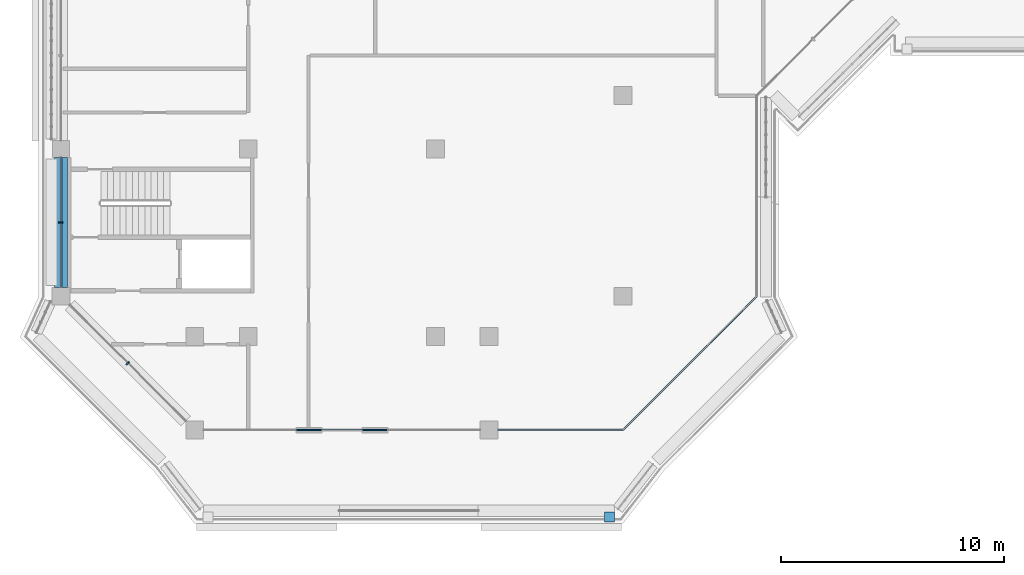
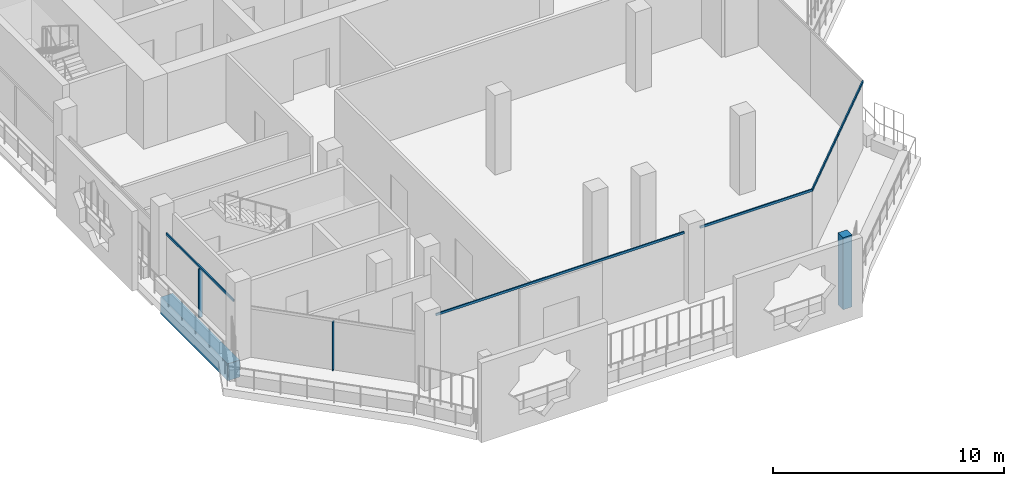
# One storey, part 2 of 23: 8 members, 1 beam, 5 elements without a shape of their own.
"""IFC4 building model written with IfcOpenShell, lengths in metres."""

from ifc_helpers import new_model, si_unit, direction, frame, origin, origin_2d, place, context, subcontext, project, spatial, rectangle, extrude, material, layer, layer_set, material_profile, profile_set, type_object, element, aggregate, save


model = new_model("IFC4")

# Units and contexts
model_context = context("Model", 3, precision=1e-05, world=origin(), true_north=direction((0.0, 1.0)))
body_context = subcontext(model_context, "Body", "Model", "MODEL_VIEW")
ifc_project = project(units=[si_unit("LENGTHUNIT", "METRE"), si_unit("AREAUNIT", "SQUARE_METRE"), si_unit("VOLUMEUNIT", "CUBIC_METRE"), si_unit("PLANEANGLEUNIT", "RADIAN"), si_unit("MASSUNIT", "GRAM", prefix="KILO")], contexts=[model_context])

# Site, building, storey
site_placement = place(None, origin())
site = spatial("IfcSite", under=ifc_project, at=site_placement, CompositionType="ELEMENT")
building_placement = place(site_placement, origin())
building = spatial("IfcBuilding", under=site, at=building_placement, Name="Kawkab Arch Medical Tower", CompositionType="ELEMENT")
storey_placement = place(building_placement, frame((0.0, 0.0, 281.800048828125)))
storey = spatial("IfcBuildingStorey", under=building, at=storey_placement, Name="L65", CompositionType="ELEMENT", Elevation=281.800048828125)

# Curtain wall, members
ifc_material_1 = material(Name="Bronze anodised aluminium curtain wall frame", Category="aluminium")
ifc_layer_1 = layer(ifc_material_1, 0.159912109375)
ifc_layer_set_1 = layer_set([ifc_layer_1], Name="Bronze anodised aluminium curtain wall frame")
curtain_wall_type_1 = type_object("IfcCurtainWallType", Name="CW1 ward curtain wall", PredefinedType="NOTDEFINED", material=ifc_layer_set_1)
placement = place(storey_placement, origin())
curtain_wall_1 = element("IfcCurtainWall", 1, at=placement, inside=storey, type_object=curtain_wall_type_1, Name="CW1 Ward curtain wall R12", PredefinedType="NOTDEFINED")
ifc_material_2 = material(Name="Bronze anodised aluminium curtain wall frame", Category="aluminium")
ifc_material_profile_1 = material_profile(ifc_material_2, rectangle(XDim=0.179931640625, YDim=0.06005859375, at=origin_2d()), Name="AL 60x180")
ifc_profile_set_1 = profile_set([ifc_material_profile_1], Name="Bronze anodised aluminium curtain wall frame")
member_type_1 = type_object("IfcMemberType", Name="CW1 mullion 60 x 180", PredefinedType="MULLION", material=ifc_profile_set_1)
member_1_placement = place(storey_placement, frame((0.0, -36.887451171875, 0.0), z_axis=(0.0, 0.0, 1.0), x_axis=(1.0, 0.0, 0.0)))
member_1 = element("IfcMember", 2, at=member_1_placement, type_object=member_type_1, Name="CW1 mullion 4.1", PredefinedType="MULLION", context=body_context, shape_type="SweptSolid", body=[
    extrude(rectangle(XDim=0.179931640625, YDim=0.06005859375, at=origin_2d()), origin(), (0.0, 0.0, 1.0), 2.579833984375),
])
ifc_material_3 = material(Name="Bronze anodised aluminium curtain wall frame", Category="aluminium")
ifc_material_profile_2 = material_profile(ifc_material_3, rectangle(XDim=0.06005859375, YDim=0.1201171875, at=origin_2d()), Name="AL 60x120")
ifc_profile_set_2 = profile_set([ifc_material_profile_2], Name="Bronze anodised aluminium curtain wall frame")
member_type_2 = type_object("IfcMemberType", Name="CW1 transom 120 x 60", PredefinedType="USERDEFINED", material=ifc_profile_set_2)
member_2_placement = place(storey_placement, frame((0.0, -33.97509765625, 2.639892578125), z_axis=(0.0, -1.0, 0.0), x_axis=(1.0, 0.0, 0.0)))
member_2 = element("IfcMember", 3, at=member_2_placement, type_object=member_type_2, Name="CW1 transom 4", ObjectType="TRANSOM", PredefinedType="USERDEFINED", context=body_context, shape_type="SweptSolid", body=[
    extrude(rectangle(XDim=0.06005859375, YDim=0.1201171875, at=origin_2d()), origin(), (0.0, 0.0, 1.0), 5.824951171875),
])
aggregate(curtain_wall_1, [member_2, member_1])

curtain_wall_2 = element("IfcCurtainWall", 4, at=placement, inside=storey, type_object=curtain_wall_type_1, Name="CW1 Ward curtain wall R14", PredefinedType="NOTDEFINED")
member_3_placement = place(storey_placement, frame((6.39990234375, -46.199951171875, 3.5400390625), z_axis=(1.0, 0.0, 0.0), x_axis=(0.0, 1.0, 0.0)))
member_3 = element("IfcMember", 5, at=member_3_placement, type_object=member_type_2, Name="CW1 transom 1", ObjectType="TRANSOM", PredefinedType="USERDEFINED", context=body_context, shape_type="SweptSolid", body=[
    extrude(rectangle(XDim=0.06005859375, YDim=0.1201171875, at=origin_2d()), origin(), (0.0, 0.0, 1.0), 12.400146484375),
])
member_4_placement = place(storey_placement, frame((19.60009765625, -46.199951171875, 3.5400390625), z_axis=(1.0, 0.0, 0.0), x_axis=(0.0, 1.0, 0.0)))
member_4 = element("IfcMember", 6, at=member_4_placement, type_object=member_type_2, Name="CW1 transom 2", ObjectType="TRANSOM", PredefinedType="USERDEFINED", context=body_context, shape_type="SweptSolid", body=[
    extrude(rectangle(XDim=0.06005859375, YDim=0.1201171875, at=origin_2d()), origin(), (0.0, 0.0, 1.0), 5.599853515625),
])
aggregate(curtain_wall_2, [member_3, member_4])

# Curtain wall, member
ifc_material_4 = material(Name="Bronze anodised aluminium curtain wall frame", Category="aluminium")
ifc_layer_2 = layer(ifc_material_4, 0.159912109375)
ifc_layer_set_2 = layer_set([ifc_layer_2], Name="Bronze anodised aluminium curtain wall frame")
curtain_wall_type_2 = type_object("IfcCurtainWallType", Name="CW2 chamfer curtain wall", PredefinedType="NOTDEFINED", material=ifc_layer_set_2)
curtain_wall_3 = element("IfcCurtainWall", 7, at=placement, inside=storey, type_object=curtain_wall_type_2, Name="CW2 Chamfer curtain wall R13", PredefinedType="NOTDEFINED")
ifc_material_5 = material(Name="Bronze anodised aluminium curtain wall frame", Category="aluminium")
ifc_material_profile_3 = material_profile(ifc_material_5, rectangle(XDim=0.199951171875, YDim=0.06005859375, at=origin_2d()), Name="AL 60x200")
ifc_profile_set_3 = profile_set([ifc_material_profile_3], Name="Bronze anodised aluminium curtain wall frame")
member_type_3 = type_object("IfcMemberType", Name="CW2 mullion 60 x 200", PredefinedType="MULLION", material=ifc_profile_set_3)
member_5_placement = place(storey_placement, frame((3.0, -43.199951171875, 0.0), z_axis=(0.0, 0.0, 1.0), x_axis=(0.707106781187, 0.707106781187, 0.0)))
member_5 = element("IfcMember", 8, at=member_5_placement, type_object=member_type_3, Name="CW2 mullion 1.1", PredefinedType="MULLION", context=body_context, shape_type="SweptSolid", body=[
    extrude(rectangle(XDim=0.199951171875, YDim=0.06005859375, at=origin_2d()), origin(), (0.0, 0.0, 1.0), 2.56005859375),
])
aggregate(curtain_wall_3, [member_5])

# Curtain wall, members
curtain_wall_4 = element("IfcCurtainWall", 9, at=placement, inside=storey, type_object=curtain_wall_type_2, Name="CW2 Chamfer curtain wall R15", PredefinedType="NOTDEFINED")
ifc_material_6 = material(Name="Bronze anodised aluminium curtain wall frame", Category="aluminium")
ifc_material_profile_4 = material_profile(ifc_material_6, rectangle(XDim=0.06005859375, YDim=0.139892578125, at=origin_2d()), Name="AL 60x140")
ifc_profile_set_4 = profile_set([ifc_material_profile_4], Name="Bronze anodised aluminium curtain wall frame")
member_type_4 = type_object("IfcMemberType", Name="CW2 transom 140 x 60", PredefinedType="USERDEFINED", material=ifc_profile_set_4)
member_6_placement = place(storey_placement, frame((25.199951171875, -46.199951171875, 3.530029296875), z_axis=(0.707106781187, 0.707106781187, 0.0), x_axis=(-0.707106781187, 0.707106781187, 0.0)))
member_6 = element("IfcMember", 10, at=member_6_placement, type_object=member_type_4, Name="CW2 transom 1", ObjectType="TRANSOM", PredefinedType="USERDEFINED", context=body_context, shape_type="SweptSolid", body=[
    extrude(rectangle(XDim=0.06005859375, YDim=0.139892578125, at=origin_2d()), origin(), (0.0, 0.0, 1.0), 4.24267578125),
])
member_7_placement = place(storey_placement, frame((28.199951171875, -43.199951171875, 3.530029296875), z_axis=(0.707106781187, 0.707106781187, 0.0), x_axis=(-0.707106781187, 0.707106781187, 0.0)))
member_7 = element("IfcMember", 11, at=member_7_placement, type_object=member_type_4, Name="CW2 transom 2", ObjectType="TRANSOM", PredefinedType="USERDEFINED", context=body_context, shape_type="SweptSolid", body=[
    extrude(rectangle(XDim=0.06005859375, YDim=0.139892578125, at=origin_2d()), origin(), (0.0, 0.0, 1.0), 4.24267578125),
])
aggregate(curtain_wall_4, [member_6, member_7])

# Curtain wall, member
ifc_material_7 = material(Name="Bronze anodised aluminium climber frame, planted", Category="aluminium")
ifc_layer_3 = layer(ifc_material_7, 0.449951171875)
ifc_layer_set_3 = layer_set([ifc_layer_3], Name="Bronze anodised aluminium climber frame, planted")
curtain_wall_type_3 = type_object("IfcCurtainWallType", Name="Planted climber frame", PredefinedType="NOTDEFINED", material=ifc_layer_set_3)
curtain_wall_5 = element("IfcCurtainWall", 12, at=placement, inside=storey, type_object=curtain_wall_type_3, Name="Planted climber frame L65", PredefinedType="NOTDEFINED")
ifc_material_8 = material(Name="Bronze anodised aluminium climber frame, planted", Category="aluminium")
ifc_material_profile_5 = material_profile(ifc_material_8, rectangle(XDim=0.449951171875, YDim=0.449951171875, at=origin_2d()), Name="Post 450x450")
ifc_profile_set_5 = profile_set([ifc_material_profile_5], Name="Bronze anodised aluminium climber frame, planted")
member_type_5 = type_object("IfcMemberType", Name="Planted climber post 450 x 450", PredefinedType="MULLION", material=ifc_profile_set_5)
member_8_placement = place(storey_placement, frame((24.60302734375, -50.10009765625, 0.0), z_axis=(0.0, 0.0, 1.0), x_axis=(1.0, 0.0, 0.0)))
member_8 = element("IfcMember", 13, at=member_8_placement, type_object=member_type_5, Name="Planted climber post L65.LOG-01-02.5", PredefinedType="MULLION", context=body_context, shape_type="SweptSolid", body=[
    extrude(rectangle(XDim=0.449951171875, YDim=0.449951171875, at=origin_2d()), origin(), (0.0, 0.0, 1.0), 3.800048828125),
])
aggregate(curtain_wall_5, [member_8])

# Beam
ifc_material_9 = material(Name="Concrete C40/50", Category="concrete")
ifc_material_profile_6 = material_profile(ifc_material_9, rectangle(XDim=0.60009765625, YDim=0.89990234375, at=origin_2d()), Name="RC 600x900")
ifc_profile_set_6 = profile_set([ifc_material_profile_6], Name="Concrete C40/50")
beam_type = type_object("IfcBeamType", Name="RC 600x900 beam C40/50", PredefinedType="BEAM", material=ifc_profile_set_6)
beam_placement = place(storey_placement, frame((0.0, -39.800048828125, -1.050048828125), z_axis=(0.0, 1.0, 0.0), x_axis=(-1.0, 0.0, 0.0)))
element("IfcBeam", 14, at=beam_placement, inside=storey, type_object=beam_type, Name="Overhang edge beam L65-03", PredefinedType="BEAM", context=body_context, shape_type="SweptSolid", body=[
    extrude(rectangle(XDim=0.60009765625, YDim=0.89990234375, at=origin_2d()), origin(), (0.0, 0.0, 1.0), 5.824951171875),
])

save(model, "model.ifc")
